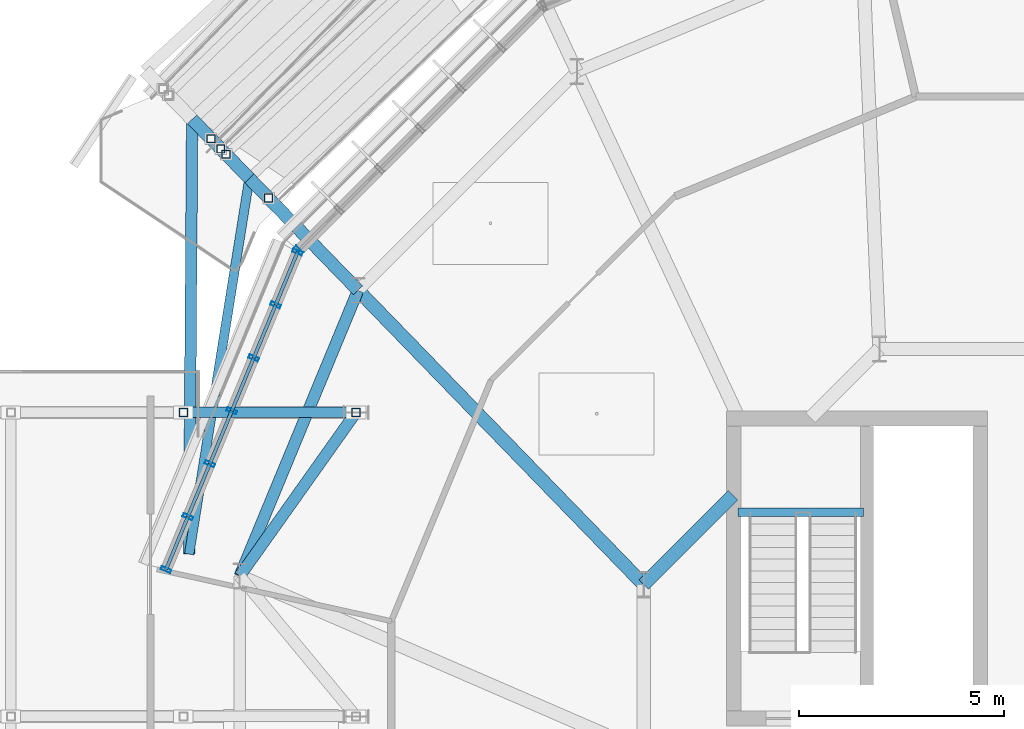
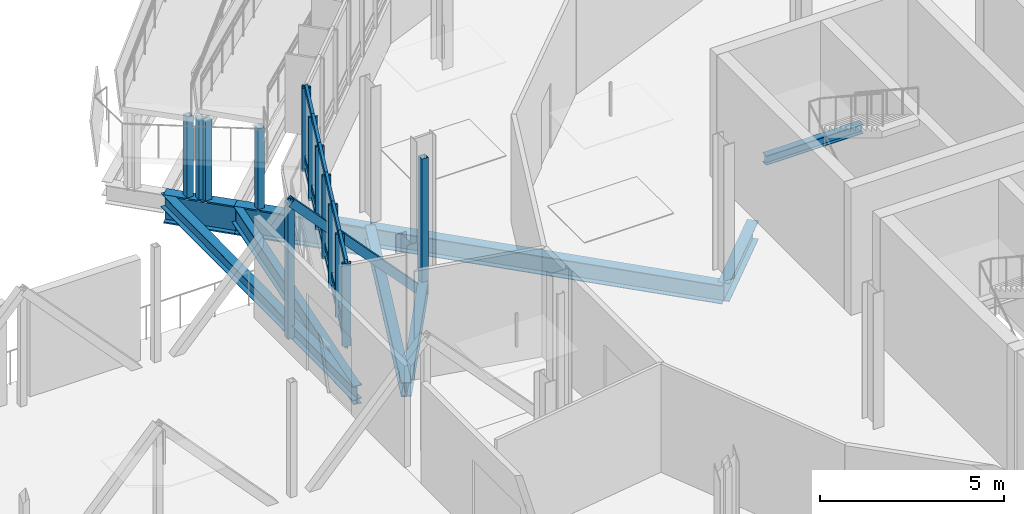
# One storey, part 52 of 139: 33 members, 9 beams, 2 elements without a shape of their own.
"""IFC4 building model written with IfcOpenShell, lengths in metres."""

import ifcopenshell
import ifcopenshell.guid

model = None  # the IFC model being written
_history = None  # IfcOwnerHistory: only IFC2X3 demands one
_inside = {}  # id of a spatial element -> (the spatial element, [elements in it])
_under = {}  # id of a project, library or spatial element -> (it, [spatial elements below it])
_declared = {}  # id of a project -> (the project, [libraries it declares])
_typed = {}  # id of a type object -> (the type object, [elements of that type])
_made_of = {}  # id of a material, layer set ... -> (it, [elements and type objects made of it])


def new_model(schema):
    """Start an empty IFC model of exactly this schema.

    Asked for "IFC4X3", IfcOpenShell would pick the latest addendum, in which some entities
    have other attributes; the version numbers below select the first issue.
    IFC2X3 requires an IfcOwnerHistory on every rooted entity: one is made here for all.
    """
    global model, _history
    if schema == "IFC4X3":
        model = ifcopenshell.file(schema_version=(4, 3, 0, 0))
    else:
        model = ifcopenshell.file(schema=schema)
    _inside.clear()
    _under.clear()
    _declared.clear()
    _typed.clear()
    _made_of.clear()
    _history = None
    if model.schema == "IFC2X3":
        org = make("IfcOrganization", Name="unknown")
        user = make(
            "IfcPersonAndOrganization",
            ThePerson=make("IfcPerson", FamilyName="unknown"),
            TheOrganization=org,
        )
        app = make(
            "IfcApplication",
            ApplicationDeveloper=org,
            Version="unknown",
            ApplicationFullName="unknown",
            ApplicationIdentifier="unknown",
        )
        _history = make(
            "IfcOwnerHistory",
            OwningUser=user,
            OwningApplication=app,
            ChangeAction="ADDED",
            CreationDate=0,
        )
    return model


def make(cls, **values):
    """One entity of the class cls with the attributes given. An attribute that is None is left unset."""
    return model.create_entity(
        cls, **{name: value for name, value in values.items() if value is not None}
    )


def rooted(cls, **values):
    """An entity with a GlobalId (a new one), such as an element, a storey or a relation."""
    return make(cls, GlobalId=ifcopenshell.guid.new(), OwnerHistory=_history, **values)


def si_unit(unit_type, name, prefix=None):
    """IfcSIUnit, for example si_unit("LENGTHUNIT", "METRE", prefix="MILLI")."""
    return make("IfcSIUnit", UnitType=unit_type, Prefix=prefix, Name=name)


def derived_unit(unit_type, elements):
    """IfcDerivedUnit: a product of units, each with its exponent."""
    return make(
        "IfcDerivedUnit",
        Elements=[
            make("IfcDerivedUnitElement", Unit=unit, Exponent=power)
            for unit, power in elements
        ],
        UnitType=unit_type,
    )


def assignment(units):
    """IfcUnitAssignment: the units of a project."""
    return None if units is None else make("IfcUnitAssignment", Units=units)


def point(xyz):
    """IfcCartesianPoint."""
    return None if xyz is None else make("IfcCartesianPoint", Coordinates=xyz)


def direction(xyz):
    """IfcDirection."""
    return None if xyz is None else make("IfcDirection", DirectionRatios=xyz)


def frame(location, z_axis=None, x_axis=None):
    """IfcAxis2Placement3D, a coordinate frame: its origin and axes. An axis left out is left unset."""
    return make(
        "IfcAxis2Placement3D",
        Location=point(location),
        Axis=direction(z_axis),
        RefDirection=direction(x_axis),
    )


def frame_2d(location, x_axis=None):
    """IfcAxis2Placement2D, a coordinate frame in the plane: its origin and x axis."""
    return make(
        "IfcAxis2Placement2D", Location=point(location), RefDirection=direction(x_axis)
    )


def origin():
    """The frame at (0, 0, 0) with its axes left unset."""
    return frame((0.0, 0.0, 0.0))


def origin_2d():
    """The frame at (0, 0) in the plane with its x axis left unset."""
    return frame_2d((0.0, 0.0))


def place(relative_to, where):
    """IfcLocalPlacement: puts the frame where relative to a parent placement (None: the world)."""
    return make(
        "IfcLocalPlacement", PlacementRelTo=relative_to, RelativePlacement=where
    )


def context(
    kind, dimensions, precision=None, world=None, true_north=None, identifier=None
):
    """IfcGeometricRepresentationContext, for example the 3D "Model" context."""
    return make(
        "IfcGeometricRepresentationContext",
        ContextIdentifier=identifier,
        ContextType=kind,
        CoordinateSpaceDimension=dimensions,
        Precision=precision,
        WorldCoordinateSystem=world,
        TrueNorth=true_north,
    )


def subcontext(parent, identifier, kind, view, scale=None):
    """IfcGeometricRepresentationSubContext, for example "Body" below "Model"."""
    return make(
        "IfcGeometricRepresentationSubContext",
        ContextIdentifier=identifier,
        ContextType=kind,
        ParentContext=parent,
        TargetScale=scale,
        TargetView=view,
    )


def project(units=None, contexts=None):
    """IfcProject with its units and contexts."""
    return rooted(
        "IfcProject",
        Name="project",
        RepresentationContexts=contexts,
        UnitsInContext=assignment(units),
    )


def spatial(cls, under=None, at=None, **own):
    """A site, building, storey or space (cls), placed at a placement, below another one or the project."""
    s = rooted(cls, ObjectPlacement=at, **own)
    if under is not None:
        _under.setdefault(under.id(), (under, []))[1].append(s)
    return s


def profile(cls, at=None, kind="AREA", **sizes):
    """A parametric profile (cls). Its sizes go by their IFC names, for example OverallWidth=200.0."""
    return make(cls, ProfileType=kind, Position=at, **sizes)


def hollow_rectangle(**sizes):
    """IfcRectangleHollowProfileDef."""
    return profile("IfcRectangleHollowProfileDef", **sizes)


def i_section(**sizes):
    """IfcIShapeProfileDef."""
    return profile("IfcIShapeProfileDef", **sizes)


def extrude(swept, where, along, depth):
    """IfcExtrudedAreaSolid: the profile swept, set in the frame where, extruded along a direction by depth."""
    return make(
        "IfcExtrudedAreaSolid",
        SweptArea=swept,
        Position=where,
        ExtrudedDirection=direction(along),
        Depth=depth,
    )


def shape(context_of_items, identifier, shape_type, items):
    """IfcShapeRepresentation: the items that make up one representation, for example the "Body"."""
    return make(
        "IfcShapeRepresentation",
        ContextOfItems=context_of_items,
        RepresentationIdentifier=identifier,
        RepresentationType=shape_type,
        Items=items,
    )


def material(Name=None, Category=None):
    """IfcMaterial."""
    return make("IfcMaterial", Name=Name, Category=Category)


def layer(
    of_material, thickness, ventilated=None, Name=None, Category=None, Priority=None
):
    """IfcMaterialLayer: one layer of a wall or slab, of a material (None: an air gap)."""
    return make(
        "IfcMaterialLayer",
        Material=of_material,
        LayerThickness=thickness,
        IsVentilated=ventilated,
        Name=Name,
        Category=Category,
        Priority=Priority,
    )


def layer_set(layers, Name=None):
    """IfcMaterialLayerSet."""
    return make("IfcMaterialLayerSet", MaterialLayers=layers, LayerSetName=Name)


def material_profile(
    of_material, cross_section, Name=None, Category=None, Priority=None
):
    """IfcMaterialProfile: a cross section and its material."""
    return make(
        "IfcMaterialProfile",
        Name=Name,
        Material=of_material,
        Profile=cross_section,
        Priority=Priority,
        Category=Category,
    )


def profile_set(profiles, Name=None, composite=None):
    """IfcMaterialProfileSet."""
    return make(
        "IfcMaterialProfileSet",
        Name=Name,
        MaterialProfiles=profiles,
        CompositeProfile=composite,
    )


def made_of(thing, what):
    """Note that an element or type object is made of a material, layer set ...; save() writes the relation."""
    if what is not None:
        _made_of.setdefault(what.id(), (what, []))[1].append(thing)
    return thing


def type_object(cls, material=None, **own):
    """A type object (cls), such as IfcWallType, which elements share."""
    return made_of(rooted(cls, **own), material)


def element(
    cls,
    number,
    at=None,
    inside=None,
    cuts=None,
    type_object=None,
    material=None,
    context=None,
    identifier="Body",
    shape_type=None,
    held_by="IfcProductDefinitionShape",
    body=None,
    shapes=None,
    **own,
):
    """One element of the class cls, such as IfcWall. Its Tag is "e" and its number.

    at: its placement. inside: the storey or other place that contains it. cuts: it is an
    opening in that element (IfcRelVoidsElement). A single representation is given by context,
    identifier, shape_type and body (its items); several are given by shapes. held_by: the class
    of the entity that holds the representations. save() writes the other relations.
    """
    e = rooted(cls, Tag="e%d" % number, ObjectPlacement=at, **own)
    if body is not None:
        shapes = [shape(context, identifier, shape_type, body)]
    if shapes is not None:
        e.Representation = make(held_by, Representations=shapes)
    if inside is not None:
        _inside.setdefault(inside.id(), (inside, []))[1].append(e)
    if cuts is not None:
        rooted(
            "IfcRelVoidsElement", RelatingBuildingElement=cuts, RelatedOpeningElement=e
        )
    if type_object is not None:
        _typed.setdefault(type_object.id(), (type_object, []))[1].append(e)
    return made_of(e, material)


def aggregate(whole, parts):
    """IfcRelAggregates: a whole, such as a stair, and the parts it consists of."""
    return rooted("IfcRelAggregates", RelatingObject=whole, RelatedObjects=parts)


def save(model, path):
    """Write the relations noted so far, then the file.

    IfcRelAggregates (storeys below a building ...), IfcRelContainedInSpatialStructure (elements
    in a storey), IfcRelDefinesByType, IfcRelAssociatesMaterial and IfcRelDeclares: one each for
    every whole, place, type object, material and project.
    """
    for whole, parts in _under.values():
        aggregate(whole, parts)
    for where, things in _inside.values():
        rooted(
            "IfcRelContainedInSpatialStructure",
            RelatedElements=things,
            RelatingStructure=where,
        )
    for kind, things in _typed.values():
        rooted("IfcRelDefinesByType", RelatedObjects=things, RelatingType=kind)
    for what, things in _made_of.values():
        rooted("IfcRelAssociatesMaterial", RelatedObjects=things, RelatingMaterial=what)
    for by, libraries in _declared.values():
        rooted("IfcRelDeclares", RelatingContext=by, RelatedDefinitions=libraries)
    model.write(path)


model = new_model("IFC4")

# Units and contexts
model_context = context("Model", 3, precision=1e-05, world=origin(), true_north=direction((0.0, 1.0)))
body_context = subcontext(model_context, "Body", "Model", "MODEL_VIEW")
ifc_project = project(units=[si_unit("LENGTHUNIT", "METRE"), si_unit("AREAUNIT", "SQUARE_METRE"), si_unit("VOLUMEUNIT", "CUBIC_METRE"), si_unit("PLANEANGLEUNIT", "RADIAN"), si_unit("MASSUNIT", "GRAM", prefix="KILO"), derived_unit("THERMALTRANSMITTANCEUNIT", [(si_unit("MASSUNIT", "GRAM", prefix="KILO"), 1), (si_unit("TIMEUNIT", "SECOND"), -3), (si_unit("THERMODYNAMICTEMPERATUREUNIT", "KELVIN"), -1)])], contexts=[model_context])

# Site, building, storey
site_placement = place(None, origin())
site = spatial("IfcSite", under=ifc_project, at=site_placement, CompositionType="ELEMENT")
building_placement = place(site_placement, origin())
building = spatial("IfcBuilding", under=site, at=building_placement, Name="Makaiwela Harbour Ferry Terminal", CompositionType="ELEMENT")
storey_placement = place(building_placement, frame((0.0, 0.0, 5.10009765625)))
storey = spatial("IfcBuildingStorey", under=building, at=storey_placement, Name="L01", CompositionType="ELEMENT", Elevation=5.10009765625)

# Curtain wall, member
ifc_material_1 = material(Name="Marine anodised aluminium 6063-T6", Category="aluminium")
ifc_layer = layer(ifc_material_1, 0.199951171875)
ifc_layer_set = layer_set([ifc_layer], Name="Marine anodised aluminium 6063-T6")
curtain_wall_type = type_object("IfcCurtainWallType", Name="ENV-CW-03", PredefinedType="USERDEFINED", material=ifc_layer_set)
curtain_wall_1_placement = place(storey_placement, origin())
curtain_wall_1 = element("IfcCurtainWall", 1, at=curtain_wall_1_placement, inside=storey, type_object=curtain_wall_type, Name="Unitised Curtain Wall CWA-014", ObjectType="UNITIZED CURTAIN WALL", PredefinedType="USERDEFINED")
ifc_material_profile_1 = material_profile(ifc_material_1, hollow_rectangle(XDim=0.0849609375, YDim=0.25, WallThickness=0.0048828125, at=origin_2d()), Name="CWM-250X85")
ifc_profile_set_1 = profile_set([ifc_material_profile_1], Name="Marine anodised aluminium 6063-T6")
member_type_1 = type_object("IfcMemberType", Name="CW-MUL-250", PredefinedType="MULLION", material=ifc_profile_set_1)
member_1_placement = place(storey_placement, frame((19.611572265625, 79.801513671875, 1.47998046875), z_axis=(0.0, 0.0, 1.0), x_axis=(0.707106781187, 0.707106781187, 0.0)))
member_1 = element("IfcMember", 2, at=member_1_placement, type_object=member_type_1, Name="Curtain Wall Mullion CWA-014-7", PredefinedType="MULLION", context=body_context, shape_type="SweptSolid", body=[
    extrude(hollow_rectangle(XDim=0.0849609375, YDim=0.25, WallThickness=0.0048828125, at=origin_2d()), origin(), (0.0, 0.0, 1.0), 2.760009765625),
])
aggregate(curtain_wall_1, [member_1])

# Curtain wall, members
curtain_wall_2_placement = place(storey_placement, origin())
curtain_wall_2 = element("IfcCurtainWall", 3, at=curtain_wall_2_placement, inside=storey, type_object=curtain_wall_type, Name="Unitised Curtain Wall CWA-015", ObjectType="UNITIZED CURTAIN WALL", PredefinedType="USERDEFINED")
member_2_placement = place(storey_placement, frame((19.578857421875, 79.752685546875, 1.47998046875), z_axis=(0.0, 0.0, 1.0), x_axis=(0.382683432365, 0.923879532511, 0.0)))
member_2 = element("IfcMember", 4, at=member_2_placement, type_object=member_type_1, Name="Curtain Wall Mullion CWA-015-1", PredefinedType="MULLION", context=body_context, shape_type="SweptSolid", body=[
    extrude(hollow_rectangle(XDim=0.0849609375, YDim=0.25, WallThickness=0.0048828125, at=origin_2d()), origin(), (0.0, 0.0, 1.0), 2.760009765625),
])
member_3_placement = place(storey_placement, frame((19.045166015625, 78.464111328125, 1.47998046875), z_axis=(0.0, 0.0, 1.0), x_axis=(0.382683432365, 0.923879532511, 0.0)))
member_3 = element("IfcMember", 5, at=member_3_placement, type_object=member_type_1, Name="Curtain Wall Mullion CWA-015-2", PredefinedType="MULLION", context=body_context, shape_type="SweptSolid", body=[
    extrude(hollow_rectangle(XDim=0.0849609375, YDim=0.25, WallThickness=0.0048828125, at=origin_2d()), origin(), (0.0, 0.0, 1.0), 2.760009765625),
])
member_4_placement = place(storey_placement, frame((18.511474609375, 77.175537109375, 1.47998046875), z_axis=(0.0, 0.0, 1.0), x_axis=(0.382683432365, 0.923879532511, 0.0)))
member_4 = element("IfcMember", 6, at=member_4_placement, type_object=member_type_1, Name="Curtain Wall Mullion CWA-015-3", PredefinedType="MULLION", context=body_context, shape_type="SweptSolid", body=[
    extrude(hollow_rectangle(XDim=0.0849609375, YDim=0.25, WallThickness=0.0048828125, at=origin_2d()), origin(), (0.0, 0.0, 1.0), 2.760009765625),
])
member_5_placement = place(storey_placement, frame((17.977783203125, 75.88720703125, 1.47998046875), z_axis=(0.0, 0.0, 1.0), x_axis=(0.382683432365, 0.923879532511, 0.0)))
member_5 = element("IfcMember", 7, at=member_5_placement, type_object=member_type_1, Name="Curtain Wall Mullion CWA-015-4", PredefinedType="MULLION", context=body_context, shape_type="SweptSolid", body=[
    extrude(hollow_rectangle(XDim=0.0849609375, YDim=0.25, WallThickness=0.0048828125, at=origin_2d()), origin(), (0.0, 0.0, 1.0), 2.760009765625),
])
member_6_placement = place(storey_placement, frame((17.44384765625, 74.5986328125, 1.47998046875), z_axis=(0.0, 0.0, 1.0), x_axis=(0.382683432365, 0.923879532511, 0.0)))
member_6 = element("IfcMember", 8, at=member_6_placement, type_object=member_type_1, Name="Curtain Wall Mullion CWA-015-5", PredefinedType="MULLION", context=body_context, shape_type="SweptSolid", body=[
    extrude(hollow_rectangle(XDim=0.0849609375, YDim=0.25, WallThickness=0.0048828125, at=origin_2d()), origin(), (0.0, 0.0, 1.0), 2.760009765625),
])
member_7_placement = place(storey_placement, frame((16.91015625, 73.310302734375, 1.47998046875), z_axis=(0.0, 0.0, 1.0), x_axis=(0.382683432365, 0.923879532511, 0.0)))
member_7 = element("IfcMember", 9, at=member_7_placement, type_object=member_type_1, Name="Curtain Wall Mullion CWA-015-6", PredefinedType="MULLION", context=body_context, shape_type="SweptSolid", body=[
    extrude(hollow_rectangle(XDim=0.0849609375, YDim=0.25, WallThickness=0.0048828125, at=origin_2d()), origin(), (0.0, 0.0, 1.0), 2.760009765625),
])
member_8_placement = place(storey_placement, frame((16.37646484375, 72.021728515625, 1.47998046875), z_axis=(0.0, 0.0, 1.0), x_axis=(0.382683432365, 0.923879532511, 0.0)))
member_8 = element("IfcMember", 10, at=member_8_placement, type_object=member_type_1, Name="Curtain Wall Mullion CWA-015-7", PredefinedType="MULLION", context=body_context, shape_type="SweptSolid", body=[
    extrude(hollow_rectangle(XDim=0.0849609375, YDim=0.25, WallThickness=0.0048828125, at=origin_2d()), origin(), (0.0, 0.0, 1.0), 2.760009765625),
])
ifc_material_profile_2 = material_profile(ifc_material_1, hollow_rectangle(XDim=0.0849609375, YDim=0.199951171875, WallThickness=0.0048828125, at=origin_2d()), Name="CWT-200X85")
ifc_profile_set_2 = profile_set([ifc_material_profile_2], Name="Marine anodised aluminium 6063-T6")
member_type_2 = type_object("IfcMemberType", Name="CW-TRN-200", PredefinedType="USERDEFINED", material=ifc_profile_set_2)
member_9_placement = place(storey_placement, frame((19.578857421875, 79.752685546875, 1.47998046875), z_axis=(-0.382650683858, -0.923893096707, 0.0), x_axis=(0.923893096707, -0.382650683858, 0.0)))
member_9 = element("IfcMember", 11, at=member_9_placement, type_object=member_type_2, Name="Curtain Wall Transom CWA-015-1-1", ObjectType="TRANSOM", PredefinedType="USERDEFINED", context=body_context, shape_type="SweptSolid", body=[
    extrude(hollow_rectangle(XDim=0.0849609375, YDim=0.199951171875, WallThickness=0.0048828125, at=origin_2d()), origin(), (0.0, 0.0, 1.0), 1.394775390625),
])
member_10_placement = place(storey_placement, frame((19.578857421875, 79.752685546875, 1.89990234375), z_axis=(-0.382650683858, -0.923893096707, 0.0), x_axis=(0.923893096707, -0.382650683858, 0.0)))
member_10 = element("IfcMember", 12, at=member_10_placement, type_object=member_type_2, Name="Curtain Wall Transom CWA-015-1-2", ObjectType="TRANSOM", PredefinedType="USERDEFINED", context=body_context, shape_type="SweptSolid", body=[
    extrude(hollow_rectangle(XDim=0.0849609375, YDim=0.199951171875, WallThickness=0.0048828125, at=origin_2d()), origin(), (0.0, 0.0, 1.0), 1.394775390625),
])
member_11_placement = place(storey_placement, frame((19.578857421875, 79.752685546875, 4.239990234375), z_axis=(-0.382650683858, -0.923893096707, 0.0), x_axis=(0.923893096707, -0.382650683858, 0.0)))
member_11 = element("IfcMember", 13, at=member_11_placement, type_object=member_type_2, Name="Curtain Wall Transom CWA-015-1-3", ObjectType="TRANSOM", PredefinedType="USERDEFINED", context=body_context, shape_type="SweptSolid", body=[
    extrude(hollow_rectangle(XDim=0.0849609375, YDim=0.199951171875, WallThickness=0.0048828125, at=origin_2d()), origin(), (0.0, 0.0, 1.0), 1.394775390625),
])
member_12_placement = place(storey_placement, frame((19.045166015625, 78.464111328125, 1.47998046875), z_axis=(-0.382650683858, -0.923893096707, 0.0), x_axis=(0.923893096707, -0.382650683858, 0.0)))
member_12 = element("IfcMember", 14, at=member_12_placement, type_object=member_type_2, Name="Curtain Wall Transom CWA-015-2-1", ObjectType="TRANSOM", PredefinedType="USERDEFINED", context=body_context, shape_type="SweptSolid", body=[
    extrude(hollow_rectangle(XDim=0.0849609375, YDim=0.199951171875, WallThickness=0.0048828125, at=origin_2d()), origin(), (0.0, 0.0, 1.0), 1.394775390625),
])
member_13_placement = place(storey_placement, frame((19.045166015625, 78.464111328125, 1.89990234375), z_axis=(-0.382650683858, -0.923893096707, 0.0), x_axis=(0.923893096707, -0.382650683858, 0.0)))
member_13 = element("IfcMember", 15, at=member_13_placement, type_object=member_type_2, Name="Curtain Wall Transom CWA-015-2-2", ObjectType="TRANSOM", PredefinedType="USERDEFINED", context=body_context, shape_type="SweptSolid", body=[
    extrude(hollow_rectangle(XDim=0.0849609375, YDim=0.199951171875, WallThickness=0.0048828125, at=origin_2d()), origin(), (0.0, 0.0, 1.0), 1.394775390625),
])
member_14_placement = place(storey_placement, frame((19.045166015625, 78.464111328125, 4.239990234375), z_axis=(-0.382650683858, -0.923893096707, 0.0), x_axis=(0.923893096707, -0.382650683858, 0.0)))
member_14 = element("IfcMember", 16, at=member_14_placement, type_object=member_type_2, Name="Curtain Wall Transom CWA-015-2-3", ObjectType="TRANSOM", PredefinedType="USERDEFINED", context=body_context, shape_type="SweptSolid", body=[
    extrude(hollow_rectangle(XDim=0.0849609375, YDim=0.199951171875, WallThickness=0.0048828125, at=origin_2d()), origin(), (0.0, 0.0, 1.0), 1.394775390625),
])
member_15_placement = place(storey_placement, frame((18.511474609375, 77.175537109375, 1.47998046875), z_axis=(-0.382712576749, -0.923867459974, 0.0), x_axis=(0.923867459974, -0.382712576749, 0.0)))
member_15 = element("IfcMember", 17, at=member_15_placement, type_object=member_type_2, Name="Curtain Wall Transom CWA-015-3-1", ObjectType="TRANSOM", PredefinedType="USERDEFINED", context=body_context, shape_type="SweptSolid", body=[
    extrude(hollow_rectangle(XDim=0.0849609375, YDim=0.199951171875, WallThickness=0.0048828125, at=origin_2d()), origin(), (0.0, 0.0, 1.0), 1.39453125),
])
member_16_placement = place(storey_placement, frame((18.511474609375, 77.175537109375, 1.89990234375), z_axis=(-0.382712576749, -0.923867459974, 0.0), x_axis=(0.923867459974, -0.382712576749, 0.0)))
member_16 = element("IfcMember", 18, at=member_16_placement, type_object=member_type_2, Name="Curtain Wall Transom CWA-015-3-2", ObjectType="TRANSOM", PredefinedType="USERDEFINED", context=body_context, shape_type="SweptSolid", body=[
    extrude(hollow_rectangle(XDim=0.0849609375, YDim=0.199951171875, WallThickness=0.0048828125, at=origin_2d()), origin(), (0.0, 0.0, 1.0), 1.39453125),
])
member_17_placement = place(storey_placement, frame((18.511474609375, 77.175537109375, 4.239990234375), z_axis=(-0.382712576749, -0.923867459974, 0.0), x_axis=(0.923867459974, -0.382712576749, 0.0)))
member_17 = element("IfcMember", 19, at=member_17_placement, type_object=member_type_2, Name="Curtain Wall Transom CWA-015-3-3", ObjectType="TRANSOM", PredefinedType="USERDEFINED", context=body_context, shape_type="SweptSolid", body=[
    extrude(hollow_rectangle(XDim=0.0849609375, YDim=0.199951171875, WallThickness=0.0048828125, at=origin_2d()), origin(), (0.0, 0.0, 1.0), 1.39453125),
])
member_18_placement = place(storey_placement, frame((17.977783203125, 75.88720703125, 1.47998046875), z_axis=(-0.382800084389, -0.923831205032, 0.0), x_axis=(0.923831205032, -0.382800084389, 0.0)))
member_18 = element("IfcMember", 20, at=member_18_placement, type_object=member_type_2, Name="Curtain Wall Transom CWA-015-4-1", ObjectType="TRANSOM", PredefinedType="USERDEFINED", context=body_context, shape_type="SweptSolid", body=[
    extrude(hollow_rectangle(XDim=0.0849609375, YDim=0.199951171875, WallThickness=0.0048828125, at=origin_2d()), origin(), (0.0, 0.0, 1.0), 1.394775390625),
])
member_19_placement = place(storey_placement, frame((17.977783203125, 75.88720703125, 1.89990234375), z_axis=(-0.382800084389, -0.923831205032, 0.0), x_axis=(0.923831205032, -0.382800084389, 0.0)))
member_19 = element("IfcMember", 21, at=member_19_placement, type_object=member_type_2, Name="Curtain Wall Transom CWA-015-4-2", ObjectType="TRANSOM", PredefinedType="USERDEFINED", context=body_context, shape_type="SweptSolid", body=[
    extrude(hollow_rectangle(XDim=0.0849609375, YDim=0.199951171875, WallThickness=0.0048828125, at=origin_2d()), origin(), (0.0, 0.0, 1.0), 1.394775390625),
])
member_20_placement = place(storey_placement, frame((17.977783203125, 75.88720703125, 4.239990234375), z_axis=(-0.382800084389, -0.923831205032, 0.0), x_axis=(0.923831205032, -0.382800084389, 0.0)))
member_20 = element("IfcMember", 22, at=member_20_placement, type_object=member_type_2, Name="Curtain Wall Transom CWA-015-4-3", ObjectType="TRANSOM", PredefinedType="USERDEFINED", context=body_context, shape_type="SweptSolid", body=[
    extrude(hollow_rectangle(XDim=0.0849609375, YDim=0.199951171875, WallThickness=0.0048828125, at=origin_2d()), origin(), (0.0, 0.0, 1.0), 1.394775390625),
])
member_21_placement = place(storey_placement, frame((17.44384765625, 74.5986328125, 1.47998046875), z_axis=(-0.382712576749, -0.923867459974, 0.0), x_axis=(0.923867459974, -0.382712576749, 0.0)))
member_21 = element("IfcMember", 23, at=member_21_placement, type_object=member_type_2, Name="Curtain Wall Transom CWA-015-5-1", ObjectType="TRANSOM", PredefinedType="USERDEFINED", context=body_context, shape_type="SweptSolid", body=[
    extrude(hollow_rectangle(XDim=0.0849609375, YDim=0.199951171875, WallThickness=0.0048828125, at=origin_2d()), origin(), (0.0, 0.0, 1.0), 1.39453125),
])
member_22_placement = place(storey_placement, frame((17.44384765625, 74.5986328125, 1.89990234375), z_axis=(-0.382712576749, -0.923867459974, 0.0), x_axis=(0.923867459974, -0.382712576749, 0.0)))
member_22 = element("IfcMember", 24, at=member_22_placement, type_object=member_type_2, Name="Curtain Wall Transom CWA-015-5-2", ObjectType="TRANSOM", PredefinedType="USERDEFINED", context=body_context, shape_type="SweptSolid", body=[
    extrude(hollow_rectangle(XDim=0.0849609375, YDim=0.199951171875, WallThickness=0.0048828125, at=origin_2d()), origin(), (0.0, 0.0, 1.0), 1.39453125),
])
member_23_placement = place(storey_placement, frame((17.44384765625, 74.5986328125, 4.239990234375), z_axis=(-0.382712576749, -0.923867459974, 0.0), x_axis=(0.923867459974, -0.382712576749, 0.0)))
member_23 = element("IfcMember", 25, at=member_23_placement, type_object=member_type_2, Name="Curtain Wall Transom CWA-015-5-3", ObjectType="TRANSOM", PredefinedType="USERDEFINED", context=body_context, shape_type="SweptSolid", body=[
    extrude(hollow_rectangle(XDim=0.0849609375, YDim=0.199951171875, WallThickness=0.0048828125, at=origin_2d()), origin(), (0.0, 0.0, 1.0), 1.39453125),
])
member_24_placement = place(storey_placement, frame((16.91015625, 73.310302734375, 1.47998046875), z_axis=(-0.382650683858, -0.923893096707, 0.0), x_axis=(0.923893096707, -0.382650683858, 0.0)))
member_24 = element("IfcMember", 26, at=member_24_placement, type_object=member_type_2, Name="Curtain Wall Transom CWA-015-6-1", ObjectType="TRANSOM", PredefinedType="USERDEFINED", context=body_context, shape_type="SweptSolid", body=[
    extrude(hollow_rectangle(XDim=0.0849609375, YDim=0.199951171875, WallThickness=0.0048828125, at=origin_2d()), origin(), (0.0, 0.0, 1.0), 1.394775390625),
])
member_25_placement = place(storey_placement, frame((16.91015625, 73.310302734375, 1.89990234375), z_axis=(-0.382650683858, -0.923893096707, 0.0), x_axis=(0.923893096707, -0.382650683858, 0.0)))
member_25 = element("IfcMember", 27, at=member_25_placement, type_object=member_type_2, Name="Curtain Wall Transom CWA-015-6-2", ObjectType="TRANSOM", PredefinedType="USERDEFINED", context=body_context, shape_type="SweptSolid", body=[
    extrude(hollow_rectangle(XDim=0.0849609375, YDim=0.199951171875, WallThickness=0.0048828125, at=origin_2d()), origin(), (0.0, 0.0, 1.0), 1.394775390625),
])
member_26_placement = place(storey_placement, frame((16.91015625, 73.310302734375, 4.239990234375), z_axis=(-0.382650683858, -0.923893096707, 0.0), x_axis=(0.923893096707, -0.382650683858, 0.0)))
member_26 = element("IfcMember", 28, at=member_26_placement, type_object=member_type_2, Name="Curtain Wall Transom CWA-015-6-3", ObjectType="TRANSOM", PredefinedType="USERDEFINED", context=body_context, shape_type="SweptSolid", body=[
    extrude(hollow_rectangle(XDim=0.0849609375, YDim=0.199951171875, WallThickness=0.0048828125, at=origin_2d()), origin(), (0.0, 0.0, 1.0), 1.394775390625),
])
aggregate(curtain_wall_2, [member_2, member_3, member_4, member_5, member_6, member_7, member_8, member_9, member_10, member_11, member_12, member_13, member_14, member_15, member_16, member_17, member_18, member_19, member_20, member_21, member_22, member_23, member_24, member_25, member_26])

# Beams
ifc_material_2 = material(Name="Steel ASTM A992 Grade 50", Category="steel")
ifc_material_profile_3 = material_profile(ifc_material_2, i_section(OverallWidth=0.280029296875, OverallDepth=0.462890625, WebThickness=0.0107421875, FlangeThickness=0.017333984375, at=origin_2d()), Name="W18X76")
ifc_profile_set_3 = profile_set([ifc_material_profile_3], Name="Steel ASTM A992 Grade 50")
beam_type_1 = type_object("IfcBeamType", Name="STR-BM-W18X76", PredefinedType="BEAM", material=ifc_profile_set_3)
beam_1_placement = place(storey_placement, frame((17.013427734375, 82.98486328125, -0.51171875), z_axis=(-0.006941714661, -0.999975906009, 0.0), x_axis=(0.999975906009, -0.006941714661, 0.0)))
element("IfcBeam", 29, at=beam_1_placement, inside=storey, type_object=beam_type_1, Name="Drum stage2 tie girder 91", PredefinedType="BEAM", context=body_context, shape_type="SweptSolid", body=[
    extrude(i_section(OverallWidth=0.280029296875, OverallDepth=0.462890625, WebThickness=0.0107421875, FlangeThickness=0.017333984375, at=origin_2d()), origin(), (0.0, 0.0, 1.0), 10.586181640625),
])
beam_2_placement = place(storey_placement, frame((21.0, 75.85009765625, -0.51171875), z_axis=(-0.578901326303, -0.815397605101, 0.0), x_axis=(0.815397605101, -0.578901326303, 0.0)))
element("IfcBeam", 30, at=beam_2_placement, inside=storey, type_object=beam_type_1, Name="West bridge drum tie 120", PredefinedType="BEAM", context=body_context, shape_type="SweptSolid", body=[
    extrude(i_section(OverallWidth=0.280029296875, OverallDepth=0.462890625, WebThickness=0.0107421875, FlangeThickness=0.017333984375, at=origin_2d()), origin(), (0.0, 0.0, 1.0), 4.886962890625),
])

# Member
ifc_material_3 = material(Name="Steel ASTM A500 Grade C", Category="steel")
ifc_material_profile_4 = material_profile(ifc_material_3, hollow_rectangle(XDim=0.25390625, YDim=0.25390625, WallThickness=0.0146484375, at=origin_2d()), Name="HSS10X10X5/8")
ifc_profile_set_4 = profile_set([ifc_material_profile_4], Name="Steel ASTM A500 Grade C")
member_type_3 = type_object("IfcMemberType", Name="STR-BRC-HSS10", PredefinedType="BRACE", material=ifc_profile_set_4)
member_27_placement = place(storey_placement, frame((21.0, 75.85009765625, -0.70556640625), z_axis=(-0.680693892275, 0.0, 0.732567966144), x_axis=(0.0, -1.0, 0.0)))
element("IfcMember", 31, at=member_27_placement, inside=storey, type_object=member_type_3, Name="Structural Member BR-01", PredefinedType="BRACE", context=body_context, shape_type="SweptSolid", body=[
    extrude(hollow_rectangle(XDim=0.25390625, YDim=0.25390625, WallThickness=0.0146484375, at=origin_2d()), origin(), (0.0, 0.0, 1.0), 6.170166015625),
])

# Beams
ifc_material_profile_5 = material_profile(ifc_material_2, i_section(OverallWidth=0.324951171875, OverallDepth=0.615966796875, WebThickness=0.013916015625, FlangeThickness=0.021484375, at=origin_2d()), Name="W24X117")
ifc_profile_set_5 = profile_set([ifc_material_profile_5], Name="Steel ASTM A992 Grade 50")
beam_type_2 = type_object("IfcBeamType", Name="STR-GRD-W24X117", PredefinedType="USERDEFINED", material=ifc_profile_set_5)
beam_3_placement = place(storey_placement, frame((30.179931640625, 73.82958984375, -0.588134765625), z_axis=(-0.707106781187, -0.707106781187, 0.0), x_axis=(0.707106781187, -0.707106781187, 0.0)))
element("IfcBeam", 32, at=beam_3_placement, inside=storey, type_object=beam_type_2, Name="Drum inner ring girder 5", ObjectType="GIRDER", PredefinedType="USERDEFINED", context=body_context, shape_type="SweptSolid", body=[
    extrude(i_section(OverallWidth=0.324951171875, OverallDepth=0.615966796875, WebThickness=0.013916015625, FlangeThickness=0.021484375, at=origin_2d()), origin(), (0.0, 0.0, 1.0), 3.0732421875),
])
beam_4_placement = place(storey_placement, frame((28.0068359375, 71.656494140625, -0.588134765625), z_axis=(-0.696428721194, 0.717625972423, 0.0), x_axis=(-0.717625972423, -0.696428721194, 0.0)))
element("IfcBeam", 33, at=beam_4_placement, inside=storey, type_object=beam_type_2, Name="Drum radial girder 49", ObjectType="GIRDER", PredefinedType="USERDEFINED", context=body_context, shape_type="SweptSolid", body=[
    extrude(i_section(OverallWidth=0.324951171875, OverallDepth=0.615966796875, WebThickness=0.013916015625, FlangeThickness=0.021484375, at=origin_2d()), origin(), (0.0, 0.0, 1.0), 9.98583984375),
])
ifc_material_profile_6 = material_profile(ifc_material_2, i_section(OverallWidth=0.22900390625, OverallDepth=0.612060546875, WebThickness=0.011962890625, FlangeThickness=0.01953125, at=origin_2d()), Name="W24X84")
ifc_profile_set_6 = profile_set([ifc_material_profile_6], Name="Steel ASTM A992 Grade 50")
beam_type_3 = type_object("IfcBeamType", Name="STR-GRD-W24X84", PredefinedType="USERDEFINED", material=ifc_profile_set_6)
beam_5_placement = place(storey_placement, frame((18.40625, 81.549560546875, -0.586181640625), z_axis=(-0.15822270298, -0.987403451615, 0.0), x_axis=(0.987403451615, -0.15822270298, 0.0)))
element("IfcBeam", 34, at=beam_5_placement, inside=storey, type_object=beam_type_3, Name="Drum overhang tie girder 90", ObjectType="GIRDER", PredefinedType="USERDEFINED", context=body_context, shape_type="SweptSolid", body=[
    extrude(i_section(OverallWidth=0.22900390625, OverallDepth=0.612060546875, WebThickness=0.011962890625, FlangeThickness=0.01953125, at=origin_2d()), origin(), (0.0, 0.0, 1.0), 9.267333984375),
])
ifc_material_profile_7 = material_profile(ifc_material_2, i_section(OverallWidth=0.31005859375, OverallDepth=0.949951171875, WebThickness=0.0244140625, FlangeThickness=0.0439453125, at=origin_2d()), Name="W36X256")
ifc_profile_set_7 = profile_set([ifc_material_profile_7], Name="Steel ASTM A992 Grade 50")
beam_type_4 = type_object("IfcBeamType", Name="STR-GRD-W36X256", PredefinedType="USERDEFINED", material=ifc_profile_set_7)
beam_6_placement = place(storey_placement, frame((21.052490234375, 78.822509765625, -0.755126953125), z_axis=(-0.696393637769, 0.717660017888, 0.0), x_axis=(-0.717660017888, -0.696393637769, 0.0)))
element("IfcBeam", 35, at=beam_6_placement, inside=storey, type_object=beam_type_4, Name="Drum radial overhang 50", ObjectType="GIRDER", PredefinedType="USERDEFINED", context=body_context, shape_type="SweptSolid", body=[
    extrude(i_section(OverallWidth=0.31005859375, OverallDepth=0.949951171875, WebThickness=0.0244140625, FlangeThickness=0.0439453125, at=origin_2d()), origin(), (0.0, 0.0, 1.0), 3.7998046875),
])
beam_7_placement = place(storey_placement, frame((18.40625, 81.549560546875, -0.755126953125), z_axis=(-0.696406971539, 0.717647078997, 0.0), x_axis=(-0.717647078997, -0.696406971539, 0.0)))
element("IfcBeam", 36, at=beam_7_placement, inside=storey, type_object=beam_type_4, Name="Drum overhang radial girder 51", ObjectType="GIRDER", PredefinedType="USERDEFINED", context=body_context, shape_type="SweptSolid", body=[
    extrude(i_section(OverallWidth=0.31005859375, OverallDepth=0.949951171875, WebThickness=0.0244140625, FlangeThickness=0.0439453125, at=origin_2d()), origin(), (0.0, 0.0, 1.0), 2.0),
])
ifc_material_profile_8 = material_profile(ifc_material_2, i_section(OverallWidth=0.205078125, OverallDepth=0.31005859375, WebThickness=0.009521484375, FlangeThickness=0.016357421875, at=origin_2d()), Name="W12X50")
ifc_profile_set_8 = profile_set([ifc_material_profile_8], Name="Steel ASTM A992 Grade 50")
beam_type_5 = type_object("IfcBeamType", Name="STR-LNT-W12X50", PredefinedType="LINTEL", material=ifc_profile_set_8)
beam_8_placement = place(storey_placement, frame((30.304931640625, 73.419921875, 1.94482421875), z_axis=(1.0, 0.0, 0.0), x_axis=(0.0, 1.0, 0.0)))
element("IfcBeam", 37, at=beam_8_placement, inside=storey, type_object=beam_type_5, Name="Stair Landing Beam ST-03-L01", PredefinedType="LINTEL", context=body_context, shape_type="SweptSolid", body=[
    extrude(i_section(OverallWidth=0.205078125, OverallDepth=0.31005859375, WebThickness=0.009521484375, FlangeThickness=0.016357421875, at=origin_2d()), origin(), (0.0, 0.0, 1.0), 3.050048828125),
])

# Members
ifc_material_profile_9 = material_profile(ifc_material_3, hollow_rectangle(XDim=0.202880859375, YDim=0.202880859375, WallThickness=0.01171875, at=origin_2d()), Name="HSS8X8X1/2")
ifc_profile_set_9 = profile_set([ifc_material_profile_9], Name="Steel ASTM A500 Grade C")
member_type_4 = type_object("IfcMemberType", Name="STR-PST-HSS8", PredefinedType="POST", material=ifc_profile_set_9)
for number, where, z_axis, x_axis, name in (
    (38, (21.0, 75.85009765625, -0.70556640625), (0.0, 0.0, 1.0), (1.0, 0.0, 0.0), "Structural Member PS-01"),
    (39, (16.800048828125, 75.85009765625, -0.70556640625), (0.0, 0.0, 1.0), (1.0, 0.0, 0.0), "Structural Member PS-01"),
):
    element("IfcMember", number, at=place(storey_placement, frame(where, z_axis=z_axis, x_axis=x_axis)), inside=storey, type_object=member_type_4, Name=name, PredefinedType="POST", context=body_context, shape_type="SweptSolid", body=[
        extrude(hollow_rectangle(XDim=0.202880859375, YDim=0.202880859375, WallThickness=0.01171875, at=origin_2d()), origin(), (0.0, 0.0, 1.0), 4.52001953125),
    ])
for number, where, z_axis, x_axis, name in (
    (40, (17.4716796875, 82.5126953125, -0.300048828125), (0.0, 0.0, 1.0), (1.0, 0.0, 0.0), "Exterior Ramp Support Post RP-0025"),
    (41, (17.709716796875, 82.26708984375, -0.300048828125), (0.0, 0.0, 1.0), (1.0, 0.0, 0.0), "Exterior Ramp Support Post RP-0027"),
):
    element("IfcMember", number, at=place(storey_placement, frame(where, z_axis=z_axis, x_axis=x_axis)), inside=storey, type_object=member_type_4, Name=name, PredefinedType="POST", context=body_context, shape_type="SweptSolid", body=[
        extrude(hollow_rectangle(XDim=0.202880859375, YDim=0.202880859375, WallThickness=0.01171875, at=origin_2d()), origin(), (0.0, 0.0, 1.0), 2.6962890625),
    ])
member_28_placement = place(storey_placement, frame((17.83935546875, 82.1337890625, -0.300048828125), z_axis=(0.0, 0.0, 1.0), x_axis=(1.0, 0.0, 0.0)))
element("IfcMember", 42, at=member_28_placement, inside=storey, type_object=member_type_4, Name="Exterior Ramp Support Post RP-0028", PredefinedType="POST", context=body_context, shape_type="SweptSolid", body=[
    extrude(hollow_rectangle(XDim=0.202880859375, YDim=0.202880859375, WallThickness=0.01171875, at=origin_2d()), origin(), (0.0, 0.0, 1.0), 2.693359375),
])
member_29_placement = place(storey_placement, frame((18.874267578125, 81.0673828125, -0.300048828125), z_axis=(0.0, 0.0, 1.0), x_axis=(1.0, 0.0, 0.0)))
element("IfcMember", 43, at=member_29_placement, inside=storey, type_object=member_type_4, Name="Exterior Ramp Support Post RP-0031", PredefinedType="POST", context=body_context, shape_type="SweptSolid", body=[
    extrude(hollow_rectangle(XDim=0.202880859375, YDim=0.202880859375, WallThickness=0.01171875, at=origin_2d()), origin(), (0.0, 0.0, 1.0), 2.6962890625),
])

# Beam
ifc_material_profile_10 = material_profile(ifc_material_2, i_section(OverallWidth=0.283935546875, OverallDepth=0.47607421875, WebThickness=0.014892578125, FlangeThickness=0.02392578125, at=origin_2d()), Name="W18X106")
ifc_profile_set_10 = profile_set([ifc_material_profile_10], Name="Steel ASTM A992 Grade 50")
beam_type_6 = type_object("IfcBeamType", Name="STR-SPN-W18X106", PredefinedType="SPANDREL", material=ifc_profile_set_10)
beam_9_placement = place(storey_placement, frame((21.052490234375, 78.822509765625, -0.51806640625), z_axis=(-0.382660079618, -0.92388920519, 0.0), x_axis=(0.92388920519, -0.382660079618, 0.0)))
element("IfcBeam", 44, at=beam_9_placement, inside=storey, type_object=beam_type_6, Name="Drum column ring girder 18", PredefinedType="SPANDREL", context=body_context, shape_type="SweptSolid", body=[
    extrude(i_section(OverallWidth=0.283935546875, OverallDepth=0.47607421875, WebThickness=0.014892578125, FlangeThickness=0.02392578125, at=origin_2d()), origin(), (0.0, 0.0, 1.0), 7.530517578125),
])

save(model, "model.ifc")
